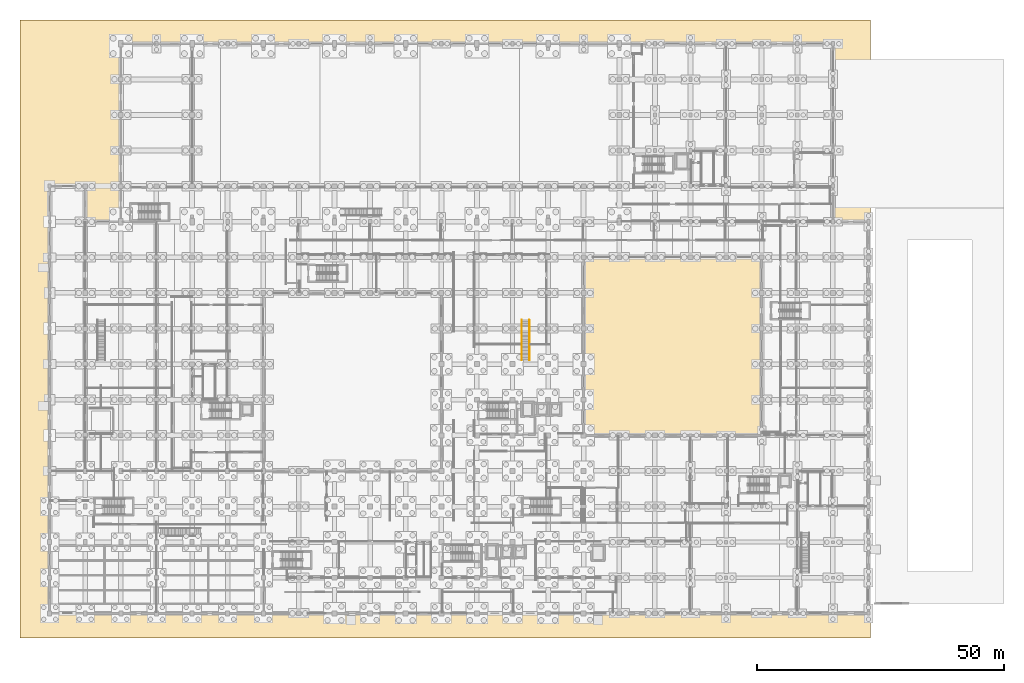
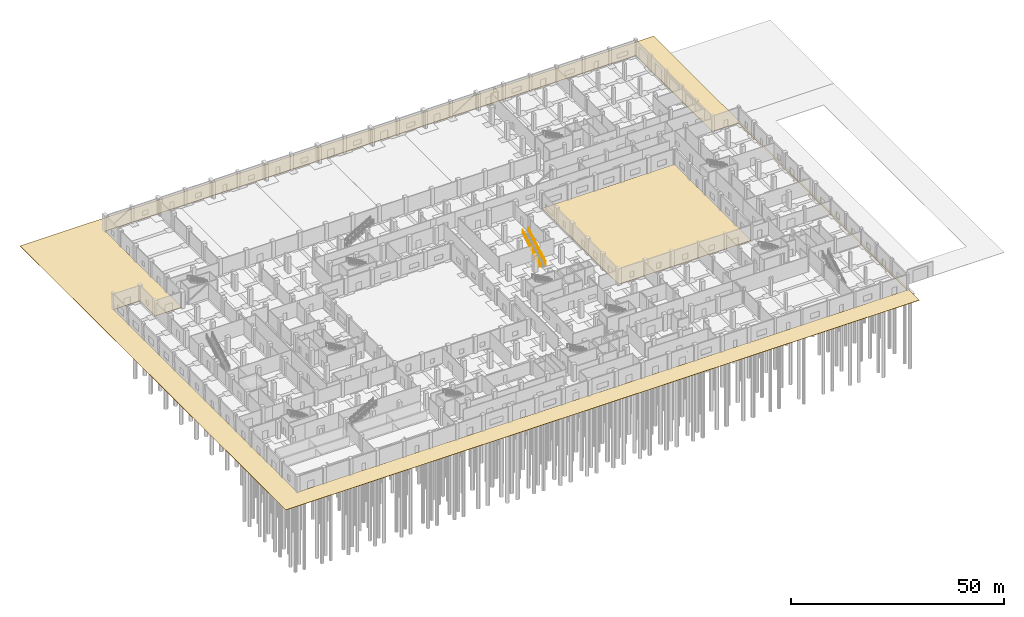
# One storey, part 42 of 48: 3 railings, 2 coverings.
"""IFC4 building model written with IfcOpenShell, lengths in metres."""

import ifcopenshell
import ifcopenshell.guid

model = None  # the IFC model being written
_history = None  # IfcOwnerHistory: only IFC2X3 demands one
_inside = {}  # id of a spatial element -> (the spatial element, [elements in it])
_under = {}  # id of a project, library or spatial element -> (it, [spatial elements below it])
_declared = {}  # id of a project -> (the project, [libraries it declares])
_typed = {}  # id of a type object -> (the type object, [elements of that type])
_made_of = {}  # id of a material, layer set ... -> (it, [elements and type objects made of it])


def new_model(schema):
    """Start an empty IFC model of exactly this schema.

    Asked for "IFC4X3", IfcOpenShell would pick the latest addendum, in which some entities
    have other attributes; the version numbers below select the first issue.
    IFC2X3 requires an IfcOwnerHistory on every rooted entity: one is made here for all.
    """
    global model, _history
    if schema == "IFC4X3":
        model = ifcopenshell.file(schema_version=(4, 3, 0, 0))
    else:
        model = ifcopenshell.file(schema=schema)
    _inside.clear()
    _under.clear()
    _declared.clear()
    _typed.clear()
    _made_of.clear()
    _history = None
    if model.schema == "IFC2X3":
        org = make("IfcOrganization", Name="unknown")
        user = make(
            "IfcPersonAndOrganization",
            ThePerson=make("IfcPerson", FamilyName="unknown"),
            TheOrganization=org,
        )
        app = make(
            "IfcApplication",
            ApplicationDeveloper=org,
            Version="unknown",
            ApplicationFullName="unknown",
            ApplicationIdentifier="unknown",
        )
        _history = make(
            "IfcOwnerHistory",
            OwningUser=user,
            OwningApplication=app,
            ChangeAction="ADDED",
            CreationDate=0,
        )
    return model


def make(cls, **values):
    """One entity of the class cls with the attributes given. An attribute that is None is left unset."""
    return model.create_entity(
        cls, **{name: value for name, value in values.items() if value is not None}
    )


def rooted(cls, **values):
    """An entity with a GlobalId (a new one), such as an element, a storey or a relation."""
    return make(cls, GlobalId=ifcopenshell.guid.new(), OwnerHistory=_history, **values)


def si_unit(unit_type, name, prefix=None):
    """IfcSIUnit, for example si_unit("LENGTHUNIT", "METRE", prefix="MILLI")."""
    return make("IfcSIUnit", UnitType=unit_type, Prefix=prefix, Name=name)


def assignment(units):
    """IfcUnitAssignment: the units of a project."""
    return None if units is None else make("IfcUnitAssignment", Units=units)


def point(xyz):
    """IfcCartesianPoint."""
    return None if xyz is None else make("IfcCartesianPoint", Coordinates=xyz)


def direction(xyz):
    """IfcDirection."""
    return None if xyz is None else make("IfcDirection", DirectionRatios=xyz)


def frame(location, z_axis=None, x_axis=None):
    """IfcAxis2Placement3D, a coordinate frame: its origin and axes. An axis left out is left unset."""
    return make(
        "IfcAxis2Placement3D",
        Location=point(location),
        Axis=direction(z_axis),
        RefDirection=direction(x_axis),
    )


def frame_2d(location, x_axis=None):
    """IfcAxis2Placement2D, a coordinate frame in the plane: its origin and x axis."""
    return make(
        "IfcAxis2Placement2D", Location=point(location), RefDirection=direction(x_axis)
    )


def origin():
    """The frame at (0, 0, 0) with its axes left unset."""
    return frame((0.0, 0.0, 0.0))


def origin_2d():
    """The frame at (0, 0) in the plane with its x axis left unset."""
    return frame_2d((0.0, 0.0))


def place(relative_to, where):
    """IfcLocalPlacement: puts the frame where relative to a parent placement (None: the world)."""
    return make(
        "IfcLocalPlacement", PlacementRelTo=relative_to, RelativePlacement=where
    )


def context(
    kind, dimensions, precision=None, world=None, true_north=None, identifier=None
):
    """IfcGeometricRepresentationContext, for example the 3D "Model" context."""
    return make(
        "IfcGeometricRepresentationContext",
        ContextIdentifier=identifier,
        ContextType=kind,
        CoordinateSpaceDimension=dimensions,
        Precision=precision,
        WorldCoordinateSystem=world,
        TrueNorth=true_north,
    )


def subcontext(parent, identifier, kind, view, scale=None):
    """IfcGeometricRepresentationSubContext, for example "Body" below "Model"."""
    return make(
        "IfcGeometricRepresentationSubContext",
        ContextIdentifier=identifier,
        ContextType=kind,
        ParentContext=parent,
        TargetScale=scale,
        TargetView=view,
    )


def project(units=None, contexts=None):
    """IfcProject with its units and contexts."""
    return rooted(
        "IfcProject",
        Name="project",
        RepresentationContexts=contexts,
        UnitsInContext=assignment(units),
    )


def spatial(cls, under=None, at=None, **own):
    """A site, building, storey or space (cls), placed at a placement, below another one or the project."""
    s = rooted(cls, ObjectPlacement=at, **own)
    if under is not None:
        _under.setdefault(under.id(), (under, []))[1].append(s)
    return s


def polyline(points):
    """IfcPolyline through the points."""
    return make("IfcPolyline", Points=[point(p) for p in points])


def profile(cls, at=None, kind="AREA", **sizes):
    """A parametric profile (cls). Its sizes go by their IFC names, for example OverallWidth=200.0."""
    return make(cls, ProfileType=kind, Position=at, **sizes)


def circle(**sizes):
    """IfcCircleProfileDef."""
    return profile("IfcCircleProfileDef", **sizes)


def outline(outer, holes=None, kind="AREA"):
    """IfcArbitraryClosedProfileDef: a profile drawn as a closed curve; with holes, ...WithVoids."""
    if holes is None:
        return make("IfcArbitraryClosedProfileDef", ProfileType=kind, OuterCurve=outer)
    return make(
        "IfcArbitraryProfileDefWithVoids",
        ProfileType=kind,
        OuterCurve=outer,
        InnerCurves=holes,
    )


def extrude(swept, where, along, depth):
    """IfcExtrudedAreaSolid: the profile swept, set in the frame where, extruded along a direction by depth."""
    return make(
        "IfcExtrudedAreaSolid",
        SweptArea=swept,
        Position=where,
        ExtrudedDirection=direction(along),
        Depth=depth,
    )


def shape(context_of_items, identifier, shape_type, items):
    """IfcShapeRepresentation: the items that make up one representation, for example the "Body"."""
    return make(
        "IfcShapeRepresentation",
        ContextOfItems=context_of_items,
        RepresentationIdentifier=identifier,
        RepresentationType=shape_type,
        Items=items,
    )


def material(Name=None, Category=None):
    """IfcMaterial."""
    return make("IfcMaterial", Name=Name, Category=Category)


def layer(
    of_material, thickness, ventilated=None, Name=None, Category=None, Priority=None
):
    """IfcMaterialLayer: one layer of a wall or slab, of a material (None: an air gap)."""
    return make(
        "IfcMaterialLayer",
        Material=of_material,
        LayerThickness=thickness,
        IsVentilated=ventilated,
        Name=Name,
        Category=Category,
        Priority=Priority,
    )


def layer_set(layers, Name=None):
    """IfcMaterialLayerSet."""
    return make("IfcMaterialLayerSet", MaterialLayers=layers, LayerSetName=Name)


def made_of(thing, what):
    """Note that an element or type object is made of a material, layer set ...; save() writes the relation."""
    if what is not None:
        _made_of.setdefault(what.id(), (what, []))[1].append(thing)
    return thing


def type_object(cls, material=None, **own):
    """A type object (cls), such as IfcWallType, which elements share."""
    return made_of(rooted(cls, **own), material)


def element(
    cls,
    number,
    at=None,
    inside=None,
    cuts=None,
    type_object=None,
    material=None,
    context=None,
    identifier="Body",
    shape_type=None,
    held_by="IfcProductDefinitionShape",
    body=None,
    shapes=None,
    **own,
):
    """One element of the class cls, such as IfcWall. Its Tag is "e" and its number.

    at: its placement. inside: the storey or other place that contains it. cuts: it is an
    opening in that element (IfcRelVoidsElement). A single representation is given by context,
    identifier, shape_type and body (its items); several are given by shapes. held_by: the class
    of the entity that holds the representations. save() writes the other relations.
    """
    e = rooted(cls, Tag="e%d" % number, ObjectPlacement=at, **own)
    if body is not None:
        shapes = [shape(context, identifier, shape_type, body)]
    if shapes is not None:
        e.Representation = make(held_by, Representations=shapes)
    if inside is not None:
        _inside.setdefault(inside.id(), (inside, []))[1].append(e)
    if cuts is not None:
        rooted(
            "IfcRelVoidsElement", RelatingBuildingElement=cuts, RelatedOpeningElement=e
        )
    if type_object is not None:
        _typed.setdefault(type_object.id(), (type_object, []))[1].append(e)
    return made_of(e, material)


def aggregate(whole, parts):
    """IfcRelAggregates: a whole, such as a stair, and the parts it consists of."""
    return rooted("IfcRelAggregates", RelatingObject=whole, RelatedObjects=parts)


def save(model, path):
    """Write the relations noted so far, then the file.

    IfcRelAggregates (storeys below a building ...), IfcRelContainedInSpatialStructure (elements
    in a storey), IfcRelDefinesByType, IfcRelAssociatesMaterial and IfcRelDeclares: one each for
    every whole, place, type object, material and project.
    """
    for whole, parts in _under.values():
        aggregate(whole, parts)
    for where, things in _inside.values():
        rooted(
            "IfcRelContainedInSpatialStructure",
            RelatedElements=things,
            RelatingStructure=where,
        )
    for kind, things in _typed.values():
        rooted("IfcRelDefinesByType", RelatedObjects=things, RelatingType=kind)
    for what, things in _made_of.values():
        rooted("IfcRelAssociatesMaterial", RelatedObjects=things, RelatingMaterial=what)
    for by, libraries in _declared.values():
        rooted("IfcRelDeclares", RelatingContext=by, RelatedDefinitions=libraries)
    model.write(path)


model = new_model("IFC4")

# Units and contexts
model_context = context("Model", 3, precision=1e-05, world=origin(), true_north=direction((0.0, 1.0)))
body_context = subcontext(model_context, "Body", "Model", "MODEL_VIEW")
ifc_project = project(units=[si_unit("LENGTHUNIT", "METRE"), si_unit("AREAUNIT", "SQUARE_METRE"), si_unit("VOLUMEUNIT", "CUBIC_METRE"), si_unit("PLANEANGLEUNIT", "RADIAN"), si_unit("MASSUNIT", "GRAM", prefix="KILO")], contexts=[model_context])

# Site, building, storey
site_placement = place(None, origin())
site = spatial("IfcSite", under=ifc_project, at=site_placement, CompositionType="ELEMENT")
building_placement = place(site_placement, origin())
building = spatial("IfcBuilding", under=site, at=building_placement, Name="Seraya Terrace Polytechnic", CompositionType="ELEMENT")
storey_placement = place(building_placement, origin())
storey = spatial("IfcBuildingStorey", under=building, at=storey_placement, Name="L00", CompositionType="ELEMENT", Elevation=0.0)

# Railings
ifc_material_1 = material(Name="Steel S355J2", Category="steel")
railing_type_1 = type_object("IfcRailingType", Name="GR-02", PredefinedType="GUARDRAIL", material=ifc_material_1)
for number, where, name in (
    (1, (97.02001953125, 51.199951171875, 0.159912109375), "ST-16 flight guard L00"),
    (2, (95.4599609375, 51.199951171875, 0.159912109375), "ST-16 flight outer guard L00"),
):
    element("IfcRailing", number, at=place(storey_placement, frame(where)), inside=storey, type_object=railing_type_1, Name=name, PredefinedType="GUARDRAIL", context=body_context, shape_type="SweptSolid", body=[
        extrude(circle(Radius=0.02392578125, at=origin_2d()), frame((0.0, 0.0, 1.10595703125), z_axis=(0.0, 0.868239929229, 0.496144560882), x_axis=(-1.0, 0.0, 0.0)), (0.0, 0.0, 1.0), 9.352294921875),
        extrude(circle(Radius=0.02392578125, at=origin_2d()), frame((0.0, 0.0, 0.550048828125), z_axis=(0.0, 0.868239929229, 0.496144560882), x_axis=(-1.0, 0.0, 0.0)), (0.0, 0.0, 1.0), 9.352294921875),
        extrude(circle(Radius=0.02099609375, at=origin_2d()), origin(), (0.0, 0.0, 1.0), 1.081787109375),
        extrude(circle(Radius=0.02099609375, at=origin_2d()), frame((0.0, 1.01513671875, 0.580078125)), (0.0, 0.0, 1.0), 1.081787109375),
        extrude(circle(Radius=0.02099609375, at=origin_2d()), frame((0.0, 2.030029296875, 1.16015625)), (0.0, 0.0, 1.0), 1.081787109375),
        extrude(circle(Radius=0.02099609375, at=origin_2d()), frame((0.0, 3.044921875, 1.739990234375)), (0.0, 0.0, 1.0), 1.081787109375),
        extrude(circle(Radius=0.02099609375, at=origin_2d()), frame((0.0, 4.06005859375, 2.320068359375)), (0.0, 0.0, 1.0), 1.081787109375),
        extrude(circle(Radius=0.02099609375, at=origin_2d()), frame((0.0, 5.0751953125, 2.900146484375)), (0.0, 0.0, 1.0), 1.081787109375),
        extrude(circle(Radius=0.02099609375, at=origin_2d()), frame((0.0, 6.090087890625, 3.47998046875)), (0.0, 0.0, 1.0), 1.081787109375),
        extrude(circle(Radius=0.02099609375, at=origin_2d()), frame((0.0, 7.10498046875, 4.06005859375)), (0.0, 0.0, 1.0), 1.081787109375),
        extrude(circle(Radius=0.02099609375, at=origin_2d()), frame((0.0, 8.1201171875, 4.64013671875)), (0.0, 0.0, 1.0), 1.081787109375),
    ])
railing_type_2 = type_object("IfcRailingType", Name="HR-01", PredefinedType="HANDRAIL", material=ifc_material_1)
railing_placement = place(storey_placement, frame((95.4599609375, 51.199951171875, 0.159912109375)))
element("IfcRailing", 3, at=railing_placement, inside=storey, type_object=railing_type_2, Name="ST-16 handrail L00", PredefinedType="HANDRAIL", context=body_context, shape_type="SweptSolid", body=[
    extrude(circle(Radius=0.02392578125, at=origin_2d()), frame((0.0, 0.0, 0.8759765625), z_axis=(0.0, 0.868239929229, 0.496144560882), x_axis=(-1.0, 0.0, 0.0)), (0.0, 0.0, 1.0), 9.352294921875),
    extrude(circle(Radius=0.02099609375, at=origin_2d()), origin(), (0.0, 0.0, 1.0), 0.851806640625),
    extrude(circle(Radius=0.02099609375, at=origin_2d()), frame((0.0, 1.01513671875, 0.580078125)), (0.0, 0.0, 1.0), 0.851806640625),
    extrude(circle(Radius=0.02099609375, at=origin_2d()), frame((0.0, 2.030029296875, 1.16015625)), (0.0, 0.0, 1.0), 0.851806640625),
    extrude(circle(Radius=0.02099609375, at=origin_2d()), frame((0.0, 3.044921875, 1.739990234375)), (0.0, 0.0, 1.0), 0.851806640625),
    extrude(circle(Radius=0.02099609375, at=origin_2d()), frame((0.0, 4.06005859375, 2.320068359375)), (0.0, 0.0, 1.0), 0.851806640625),
    extrude(circle(Radius=0.02099609375, at=origin_2d()), frame((0.0, 5.0751953125, 2.900146484375)), (0.0, 0.0, 1.0), 0.851806640625),
    extrude(circle(Radius=0.02099609375, at=origin_2d()), frame((0.0, 6.090087890625, 3.47998046875)), (0.0, 0.0, 1.0), 0.851806640625),
    extrude(circle(Radius=0.02099609375, at=origin_2d()), frame((0.0, 7.10498046875, 4.06005859375)), (0.0, 0.0, 1.0), 0.851806640625),
    extrude(circle(Radius=0.02099609375, at=origin_2d()), frame((0.0, 8.1201171875, 4.64013671875)), (0.0, 0.0, 1.0), 0.851806640625),
])

# Coverings
ifc_material_2 = material(Name="Permeable architectural concrete stone paver", Category="masonry")
ifc_layer = layer(ifc_material_2, 0.080078125, Name="PV-01")
ifc_layer_set = layer_set([ifc_layer], Name="Permeable architectural concrete stone paver")
covering_type = type_object("IfcCoveringType", Name="PV-01", PredefinedType="USERDEFINED", material=ifc_layer_set)
covering_1_placement = place(storey_placement, frame((0.0, 0.0, -0.080078125)))
element("IfcCovering", 4, at=covering_1_placement, inside=storey, type_object=covering_type, Name="Campus pedestrian, courtyard and Bomba hardstanding paving 1", ObjectType="PAVING", PredefinedType="USERDEFINED", context=body_context, shape_type="SweptSolid", body=[
    extrude(outline(polyline([(-6.0, -5.0), (-6.0, 120.0), (166.0, 120.0), (166.0, -5.0), (-6.0, -5.0)]), holes=[polyline([(0.0, 28.800048828125), (0.0, 0.0), (43.199951171875, 0.0), (129.60009765625, 0.0), (165.60009765625, 0.0), (165.60009765625, 36.0), (165.60009765625, 79.199951171875), (158.39990234375, 79.199951171875), (158.39990234375, 115.199951171875), (115.199951171875, 115.199951171875), (14.39990234375, 115.199951171875), (14.39990234375, 79.199951171875), (7.199951171875, 79.199951171875), (7.199951171875, 86.39990234375), (0.0, 86.39990234375), (0.0, 28.800048828125)])]), origin(), (0.0, 0.0, 1.0), 0.080078125),
])
covering_2_placement = place(storey_placement, frame((0.0, 0.0, -0.080078125)))
element("IfcCovering", 5, at=covering_2_placement, inside=storey, type_object=covering_type, Name="Campus pedestrian, courtyard and Bomba hardstanding paving 3", ObjectType="PAVING", PredefinedType="USERDEFINED", context=body_context, shape_type="SweptSolid", body=[
    extrude(outline(polyline([(108.0, 36.0), (108.0, 72.0), (144.0, 72.0), (144.0, 36.0), (129.60009765625, 36.0), (108.0, 36.0)])), origin(), (0.0, 0.0, 1.0), 0.080078125),
])

save(model, "model.ifc")
